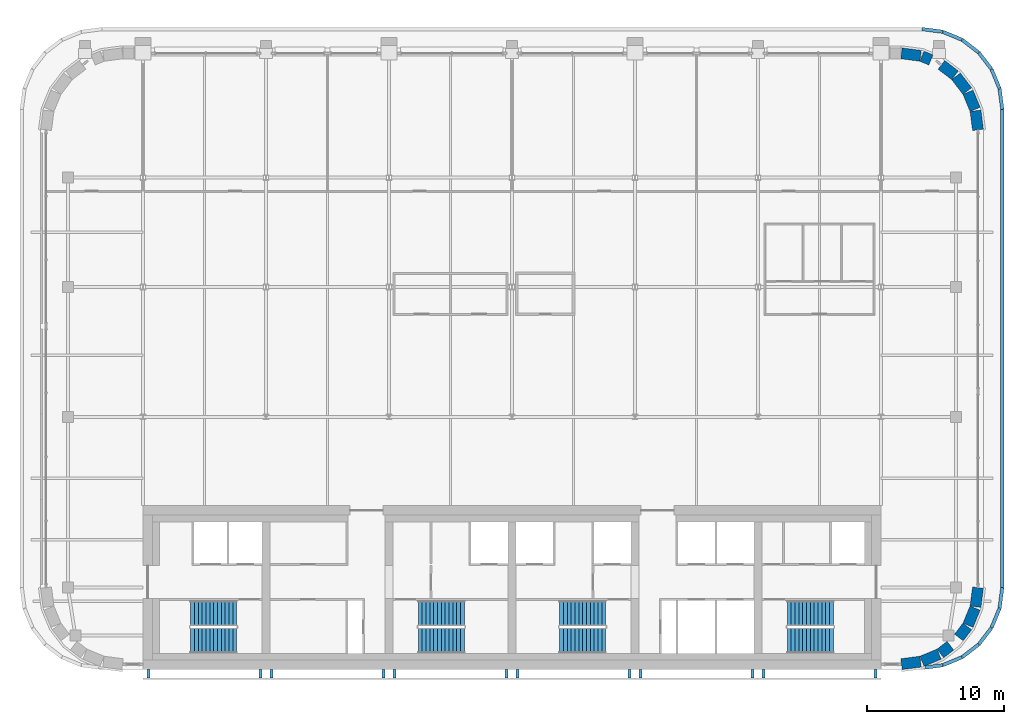
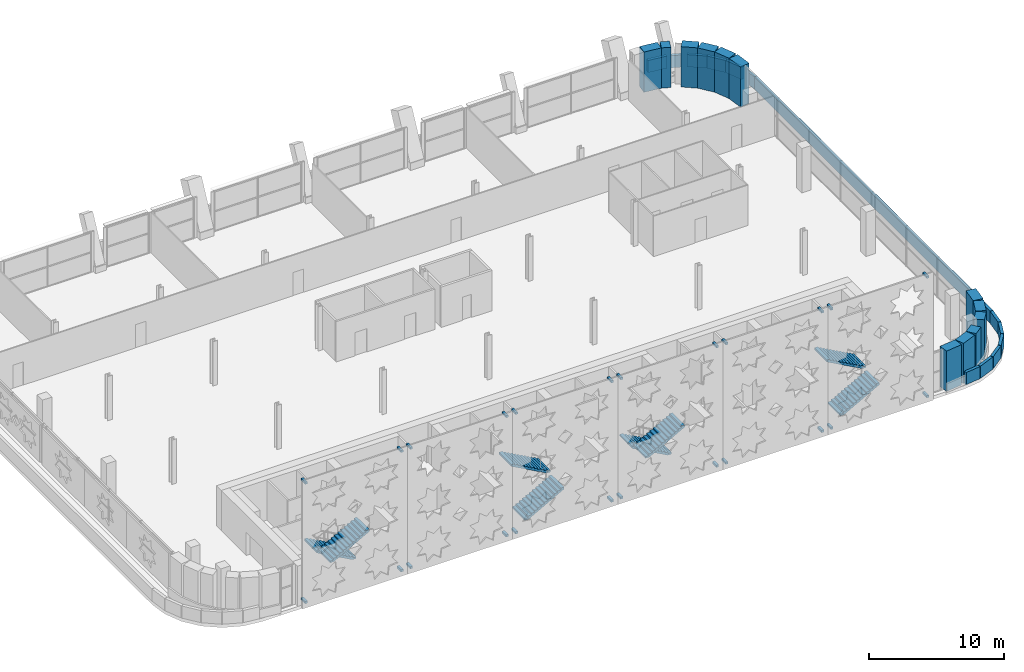
# One storey, part 19 of 25: 25 walls, 24 discrete accessories, 8 stair flights, 4 elements without a shape of their own.
"""IFC4 building model written with IfcOpenShell, lengths in metres."""

from ifc_helpers import new_model, si_unit, direction, frame, frame_2d, origin, origin_2d, place, context, subcontext, project, spatial, polyline, rectangle, outline, extrude, material, layer, layer_set, type_object, element, aggregate, save


model = new_model("IFC4")

# Units and contexts
model_context = context("Model", 3, precision=1e-05, world=origin(), true_north=direction((0.0, 1.0)))
body_context = subcontext(model_context, "Body", "Model", "MODEL_VIEW")
ifc_project = project(units=[si_unit("LENGTHUNIT", "METRE"), si_unit("AREAUNIT", "SQUARE_METRE"), si_unit("VOLUMEUNIT", "CUBIC_METRE"), si_unit("PLANEANGLEUNIT", "RADIAN"), si_unit("MASSUNIT", "GRAM", prefix="KILO")], contexts=[model_context])

# Site, building, storey
site_placement = place(None, origin())
site = spatial("IfcSite", under=ifc_project, at=site_placement, CompositionType="ELEMENT")
building_placement = place(site_placement, origin())
building = spatial("IfcBuilding", under=site, at=building_placement, Name="Zellij Exchange Tower", CompositionType="ELEMENT")
storey_placement = place(building_placement, frame((0.0, 0.0, 264.5)))
storey = spatial("IfcBuildingStorey", under=building, at=storey_placement, Name="L62", CompositionType="ELEMENT", Elevation=264.5)

# Walls
ifc_material_1 = material(Name="Precast concrete C40/50", Category="concrete")
ifc_layer_1 = layer(ifc_material_1, 0.800048828125)
ifc_layer_set_1 = layer_set([ifc_layer_1], Name="Precast concrete C40/50")
wall_type_1 = type_object("IfcWallType", Name="ENV-EW1 Precast stone-piered wall 800", PredefinedType="SOLIDWALL", material=ifc_layer_set_1)
wall_1_placement = place(storey_placement, frame((28.499755859375, -13.5966796875, 0.0), z_axis=(0.0, 0.0, 1.0), x_axis=(0.99144603414, 0.130517283865, 0.0)))
element("IfcWall", 1, at=wall_1_placement, inside=storey, type_object=wall_type_1, Name="fac.L62.01", PredefinedType="SOLIDWALL", context=body_context, shape_type="SweptSolid", body=[
    extrude(rectangle(XDim=1.408447265625, YDim=0.800048828125, at=frame_2d((0.7041015625, 0.0))), origin(), (0.0, 0.0, 1.0), 3.64990234375),
])
wall_2_placement = place(storey_placement, frame((29.997314453125, -13.3857421875, 0.0), z_axis=(0.0, 0.0, 1.0), x_axis=(0.923847774587, 0.38276009378, 0.0)))
element("IfcWall", 2, at=wall_2_placement, inside=storey, type_object=wall_type_1, Name="fac.L62.02", PredefinedType="SOLIDWALL", context=body_context, shape_type="SweptSolid", body=[
    extrude(rectangle(XDim=1.35546875, YDim=0.800048828125, at=frame_2d((0.677734375, 0.0))), origin(), (0.0, 0.0, 1.0), 3.64990234375),
])
wall_3_placement = place(storey_placement, frame((31.340087890625, -12.814697265625, 0.0), z_axis=(0.0, 0.0, 1.0), x_axis=(0.793344662299, 0.608772738221, 0.0)))
element("IfcWall", 3, at=wall_3_placement, inside=storey, type_object=wall_type_1, Name="fac.L62.03", PredefinedType="SOLIDWALL", context=body_context, shape_type="SweptSolid", body=[
    extrude(rectangle(XDim=0.93115234375, YDim=0.800048828125, at=frame_2d((0.465576171875, 0.0))), origin(), (0.0, 0.0, 1.0), 3.64990234375),
])
wall_4_placement = place(storey_placement, frame((32.69775390625, -11.64404296875, 0.0), z_axis=(0.0, 0.0, 1.0), x_axis=(0.608790576947, 0.793330973441, 0.0)))
element("IfcWall", 4, at=wall_4_placement, inside=storey, type_object=wall_type_1, Name="fac.L62.04", PredefinedType="SOLIDWALL", context=body_context, shape_type="SweptSolid", body=[
    extrude(rectangle(XDim=1.013427734375, YDim=0.800048828125, at=frame_2d((0.5068359375, 0.0))), origin(), (0.0, 0.0, 1.0), 3.64990234375),
])
wall_5_placement = place(storey_placement, frame((33.366943359375, -10.74951171875, 0.0), z_axis=(0.0, 0.0, 1.0), x_axis=(0.38276009378, 0.923847774587, 0.0)))
element("IfcWall", 5, at=wall_5_placement, inside=storey, type_object=wall_type_1, Name="fac.L62.05", PredefinedType="SOLIDWALL", context=body_context, shape_type="SweptSolid", body=[
    extrude(rectangle(XDim=1.35546875, YDim=0.800048828125, at=frame_2d((0.677734375, 0.0))), origin(), (0.0, 0.0, 1.0), 3.64990234375),
])
for number, where, z_axis, x_axis, name in (
    (6, (33.912841796875, -9.396240234375, 0.0), (0.0, 0.0, 1.0), (0.130517283865, 0.99144603414, 0.0), "fac.L62.06"),
    (7, (34.0966796875, 25.499755859375, 0.0), (0.0, 0.0, 1.0), (-0.130517283865, 0.99144603414, 0.0), "fac.L62.08"),
):
    element("IfcWall", number, at=place(storey_placement, frame(where, z_axis=z_axis, x_axis=x_axis)), inside=storey, type_object=wall_type_1, Name=name, PredefinedType="SOLIDWALL", context=body_context, shape_type="SweptSolid", body=[
        extrude(rectangle(XDim=1.408447265625, YDim=0.800048828125, at=frame_2d((0.7041015625, 0.0))), origin(), (0.0, 0.0, 1.0), 3.64990234375),
    ])
wall_6_placement = place(storey_placement, frame((33.8857421875, 26.997314453125, 0.0), z_axis=(0.0, 0.0, 1.0), x_axis=(-0.38276009378, 0.923847774587, 0.0)))
element("IfcWall", 8, at=wall_6_placement, inside=storey, type_object=wall_type_1, Name="fac.L62.09", PredefinedType="SOLIDWALL", context=body_context, shape_type="SweptSolid", body=[
    extrude(rectangle(XDim=1.35546875, YDim=0.800048828125, at=frame_2d((0.677734375, 0.0))), origin(), (0.0, 0.0, 1.0), 3.64990234375),
])
wall_7_placement = place(storey_placement, frame((33.314697265625, 28.340087890625, 0.0), z_axis=(0.0, 0.0, 1.0), x_axis=(-0.608866226366, 0.793272915452, 0.0)))
element("IfcWall", 9, at=wall_7_placement, inside=storey, type_object=wall_type_1, Name="fac.L62.10", PredefinedType="SOLIDWALL", context=body_context, shape_type="SweptSolid", body=[
    extrude(rectangle(XDim=1.355712890625, YDim=0.800048828125, at=frame_2d((0.677734375, 0.0))), origin(), (0.0, 0.0, 1.0), 3.64990234375),
])
wall_8_placement = place(storey_placement, frame((32.41552734375, 29.4892578125, 0.0), z_axis=(0.0, 0.0, 1.0), x_axis=(-0.793311514341, 0.608815933771, 0.0)))
element("IfcWall", 10, at=wall_8_placement, inside=storey, type_object=wall_type_1, Name="fac.L62.11", PredefinedType="SOLIDWALL", context=body_context, shape_type="SweptSolid", body=[
    extrude(rectangle(XDim=1.253173828125, YDim=0.800048828125, at=frame_2d((0.62646484375, 0.0))), origin(), (0.0, 0.0, 1.0), 3.64990234375),
])
wall_9_placement = place(storey_placement, frame((30.650634765625, 30.614990234375, 0.0), z_axis=(0.0, 0.0, 1.0), x_axis=(-0.923810617216, 0.382849766253, 0.0)))
element("IfcWall", 11, at=wall_9_placement, inside=storey, type_object=wall_type_1, Name="fac.L62.12", PredefinedType="SOLIDWALL", context=body_context, shape_type="SweptSolid", body=[
    extrude(rectangle(XDim=0.707275390625, YDim=0.800048828125, at=frame_2d((0.353515625, 0.0))), origin(), (0.0, 0.0, 1.0), 3.64990234375),
])
wall_10_placement = place(storey_placement, frame((29.896240234375, 30.912841796875, 0.0), z_axis=(0.0, 0.0, 1.0), x_axis=(-0.99144603414, 0.130517283865, 0.0)))
element("IfcWall", 12, at=wall_10_placement, inside=storey, type_object=wall_type_1, Name="fac.L62.13", PredefinedType="SOLIDWALL", context=body_context, shape_type="SweptSolid", body=[
    extrude(rectangle(XDim=1.408447265625, YDim=0.800048828125, at=frame_2d((0.7041015625, 0.0))), origin(), (0.0, 0.0, 1.0), 3.64990234375),
])
ifc_layer_2 = layer(ifc_material_1, 0.25)
ifc_layer_set_2 = layer_set([ifc_layer_2], Name="Precast concrete C40/50")
wall_type_2 = type_object("IfcWallType", Name="ENV-PR1 Parapet 250", PredefinedType="PARAPET", material=ifc_layer_set_2)
wall_11_placement = place(storey_placement, frame((30.23974609375, -13.84228515625, 0.0), z_axis=(0.0, 0.0, 1.0), x_axis=(0.991462114423, 0.130395075304, 0.0)))
element("IfcWall", 13, at=wall_11_placement, inside=storey, type_object=wall_type_2, Name="fac.par.L62.01.01.01", PredefinedType="PARAPET", context=body_context, shape_type="SweptSolid", body=[
    extrude(rectangle(XDim=1.275146484375, YDim=0.25, at=frame_2d((0.6376953125, 0.0))), origin(), (0.0, 0.0, 1.0), 1.10009765625),
])
for number, where, z_axis, x_axis, name in (
    (14, (31.535400390625, -13.66748046875, 0.0), (0.0, 0.0, 1.0), (0.923874044744, 0.382696680739, 0.0), "fac.par.L62.01.01.02"),
    (15, (32.949951171875, -13.076904296875, 0.0), (0.0, 0.0, 1.0), (0.793391561776, 0.608711614562, 0.0), "fac.par.L62.01.01.03"),
    (16, (34.16357421875, -12.140380859375, 0.0), (0.0, 0.0, 1.0), (0.608711614562, 0.793391561776, 0.0), "fac.par.L62.01.01.04"),
    (17, (35.09326171875, -10.921630859375, 0.0), (0.0, 0.0, 1.0), (0.382696680739, 0.923874044744, 0.0), "fac.par.L62.01.01.05"),
):
    element("IfcWall", number, at=place(storey_placement, frame(where, z_axis=z_axis, x_axis=x_axis)), inside=storey, type_object=wall_type_2, Name=name, PredefinedType="PARAPET", context=body_context, shape_type="SweptSolid", body=[
        extrude(rectangle(XDim=1.50048828125, YDim=0.25, at=frame_2d((0.750244140625, 0.0))), origin(), (0.0, 0.0, 1.0), 1.10009765625),
    ])
wall_12_placement = place(storey_placement, frame((35.676025390625, -9.50390625, 0.0), z_axis=(0.0, 0.0, 1.0), x_axis=(0.130371242108, 0.991465248625, 0.0)))
element("IfcWall", 18, at=wall_12_placement, inside=storey, type_object=wall_type_2, Name="fac.par.L62.01.01.06", PredefinedType="PARAPET", context=body_context, shape_type="SweptSolid", body=[
    extrude(rectangle(XDim=1.516845703125, YDim=0.25, at=frame_2d((0.75830078125, 0.0))), origin(), (0.0, 0.0, 1.0), 1.10009765625),
])
wall_13_placement = place(storey_placement, frame((35.875, -7.983642578125, 0.0), z_axis=(0.0, 0.0, 1.0), x_axis=(0.0, 1.0, 0.0)))
element("IfcWall", 19, at=wall_13_placement, inside=storey, type_object=wall_type_2, Name="fac.par.L62.01.01.07", PredefinedType="PARAPET", context=body_context, shape_type="SweptSolid", body=[
    extrude(rectangle(XDim=34.96728515625, YDim=0.25, at=frame_2d((17.483642578125, 0.0))), origin(), (0.0, 0.0, 1.0), 1.10009765625),
])
wall_14_placement = place(storey_placement, frame((35.873779296875, 27.0, 0.0), z_axis=(0.0, 0.0, 1.0), x_axis=(-0.130371242108, 0.991465248625, 0.0)))
element("IfcWall", 20, at=wall_14_placement, inside=storey, type_object=wall_type_2, Name="fac.par.L62.01.01.08", PredefinedType="PARAPET", context=body_context, shape_type="SweptSolid", body=[
    extrude(rectangle(XDim=1.516845703125, YDim=0.25, at=frame_2d((0.75830078125, 0.0))), origin(), (0.0, 0.0, 1.0), 1.10009765625),
])
for number, where, z_axis, x_axis, name in (
    (21, (35.66748046875, 28.535400390625, 0.0), (0.0, 0.0, 1.0), (-0.382696680739, 0.923874044744, 0.0), "fac.par.L62.01.01.09"),
    (22, (35.076904296875, 29.949951171875, 0.0), (0.0, 0.0, 1.0), (-0.608711614562, 0.793391561776, 0.0), "fac.par.L62.01.01.10"),
    (23, (34.140380859375, 31.16357421875, 0.0), (0.0, 0.0, 1.0), (-0.793391561776, 0.608711614562, 0.0), "fac.par.L62.01.01.11"),
    (24, (32.921630859375, 32.09326171875, 0.0), (0.0, 0.0, 1.0), (-0.923874044744, 0.382696680739, 0.0), "fac.par.L62.01.01.12"),
):
    element("IfcWall", number, at=place(storey_placement, frame(where, z_axis=z_axis, x_axis=x_axis)), inside=storey, type_object=wall_type_2, Name=name, PredefinedType="PARAPET", context=body_context, shape_type="SweptSolid", body=[
        extrude(rectangle(XDim=1.50048828125, YDim=0.25, at=frame_2d((0.750244140625, 0.0))), origin(), (0.0, 0.0, 1.0), 1.10009765625),
    ])
wall_15_placement = place(storey_placement, frame((31.50390625, 32.676025390625, 0.0), z_axis=(0.0, 0.0, 1.0), x_axis=(-0.991465248625, 0.130371242108, 0.0)))
element("IfcWall", 25, at=wall_15_placement, inside=storey, type_object=wall_type_2, Name="fac.par.L62.01.01.13", PredefinedType="PARAPET", context=body_context, shape_type="SweptSolid", body=[
    extrude(rectangle(XDim=1.516845703125, YDim=0.25, at=frame_2d((0.75830078125, 0.0))), origin(), (0.0, 0.0, 1.0), 1.10009765625),
])

# Stair, stair flights
ifc_material_2 = material(Name="Concrete C40/50", Category="concrete")
stair_type = type_object("IfcStairType", Name="CORE-ST exit stair 1850 wide", PredefinedType="HALF_TURN_STAIR", material=ifc_material_2)
stair_1_placement = place(storey_placement, origin())
stair_1 = element("IfcStair", 26, at=stair_1_placement, inside=storey, type_object=stair_type, Name="L62 exit stair ST1", PredefinedType="HALF_TURN_STAIR")
stair_flight_type = type_object("IfcStairFlightType", Name="CORE-SF flight 1850 riser 153.8 going 280", PredefinedType="STRAIGHT", material=ifc_material_2)
stair_flight_1_placement = place(storey_placement, frame((-20.14990234375, -9.875, 0.0), z_axis=(0.0, 0.0, 1.0), x_axis=(-1.0, 0.0, 0.0)))
stair_flight_1 = element("IfcStairFlight", 27, at=stair_flight_1_placement, type_object=stair_flight_type, Name="ST1 flight 1", NumberOfRisers=13, NumberOfTreads=12, PredefinedType="STRAIGHT", RiserHeight=0.153846154, TreadLength=0.28, context=body_context, shape_type="SweptSolid", body=[
    extrude(outline(polyline([(0.0, 0.0), (0.0, 0.15380859375), (0.280029296875, 0.15380859375), (0.280029296875, 0.3076171875), (0.56005859375, 0.3076171875), (0.56005859375, 0.46142578125), (0.840087890625, 0.46142578125), (0.840087890625, 0.615478515625), (1.1201171875, 0.615478515625), (1.1201171875, 0.769287109375), (1.39990234375, 0.769287109375), (1.39990234375, 0.923095703125), (1.679931640625, 0.923095703125), (1.679931640625, 1.076904296875), (1.9599609375, 1.076904296875), (1.9599609375, 1.230712890625), (2.239990234375, 1.230712890625), (2.239990234375, 1.384521484375), (2.52001953125, 1.384521484375), (2.52001953125, 1.53857421875), (2.800048828125, 1.53857421875), (2.800048828125, 1.6923828125), (3.080078125, 1.6923828125), (3.080078125, 1.84619140625), (3.360107421875, 1.84619140625), (3.360107421875, 2.0), (3.360107421875, 1.675048828125), (0.311279296875, 0.0), (0.0, 0.0)])), frame((0.0, 0.925048828125, 0.0), z_axis=(0.0, -1.0, 0.0), x_axis=(1.0, 0.0, 0.0)), (0.0, 0.0, 1.0), 1.85009765625),
])
stair_flight_2_placement = place(storey_placement, frame((-23.510009765625, -11.875, 2.0), z_axis=(0.0, 0.0, 1.0), x_axis=(1.0, 0.0, 0.0)))
stair_flight_2 = element("IfcStairFlight", 28, at=stair_flight_2_placement, type_object=stair_flight_type, Name="ST1 flight 2", NumberOfRisers=13, NumberOfTreads=12, PredefinedType="STRAIGHT", RiserHeight=0.153846154, TreadLength=0.28, context=body_context, shape_type="SweptSolid", body=[
    extrude(outline(polyline([(0.0, 0.0), (0.0, 0.15380859375), (0.280029296875, 0.15380859375), (0.280029296875, 0.3076171875), (0.56005859375, 0.3076171875), (0.56005859375, 0.46142578125), (0.840087890625, 0.46142578125), (0.840087890625, 0.615478515625), (1.1201171875, 0.615478515625), (1.1201171875, 0.769287109375), (1.39990234375, 0.769287109375), (1.39990234375, 0.923095703125), (1.679931640625, 0.923095703125), (1.679931640625, 1.076904296875), (1.9599609375, 1.076904296875), (1.9599609375, 1.230712890625), (2.239990234375, 1.230712890625), (2.239990234375, 1.384521484375), (2.52001953125, 1.384521484375), (2.52001953125, 1.53857421875), (2.800048828125, 1.53857421875), (2.800048828125, 1.6923828125), (3.080078125, 1.6923828125), (3.080078125, 1.84619140625), (3.360107421875, 1.84619140625), (3.360107421875, 2.0), (3.360107421875, 1.675048828125), (0.311279296875, 0.0), (0.0, 0.0)])), frame((0.0, 0.925048828125, 0.0), z_axis=(0.0, -1.0, 0.0), x_axis=(1.0, 0.0, 0.0)), (0.0, 0.0, 1.0), 1.85009765625),
])
aggregate(stair_1, [stair_flight_1, stair_flight_2])

stair_2_placement = place(storey_placement, origin())
stair_2 = element("IfcStair", 29, at=stair_2_placement, inside=storey, type_object=stair_type, Name="L62 exit stair ST2", PredefinedType="HALF_TURN_STAIR")
stair_flight_3_placement = place(storey_placement, frame((-6.85009765625, -11.875, 0.0), z_axis=(0.0, 0.0, 1.0), x_axis=(1.0, 0.0, 0.0)))
stair_flight_3 = element("IfcStairFlight", 30, at=stair_flight_3_placement, type_object=stair_flight_type, Name="ST2 flight 1", NumberOfRisers=13, NumberOfTreads=12, PredefinedType="STRAIGHT", RiserHeight=0.153846154, TreadLength=0.28, context=body_context, shape_type="SweptSolid", body=[
    extrude(outline(polyline([(0.0, 0.0), (0.0, 0.15380859375), (0.280029296875, 0.15380859375), (0.280029296875, 0.3076171875), (0.56005859375, 0.3076171875), (0.56005859375, 0.46142578125), (0.840087890625, 0.46142578125), (0.840087890625, 0.615478515625), (1.1201171875, 0.615478515625), (1.1201171875, 0.769287109375), (1.39990234375, 0.769287109375), (1.39990234375, 0.923095703125), (1.679931640625, 0.923095703125), (1.679931640625, 1.076904296875), (1.9599609375, 1.076904296875), (1.9599609375, 1.230712890625), (2.239990234375, 1.230712890625), (2.239990234375, 1.384521484375), (2.52001953125, 1.384521484375), (2.52001953125, 1.53857421875), (2.800048828125, 1.53857421875), (2.800048828125, 1.6923828125), (3.080078125, 1.6923828125), (3.080078125, 1.84619140625), (3.360107421875, 1.84619140625), (3.360107421875, 2.0), (3.360107421875, 1.675048828125), (0.311279296875, 0.0), (0.0, 0.0)])), frame((0.0, 0.925048828125, 0.0), z_axis=(0.0, -1.0, 0.0), x_axis=(1.0, 0.0, 0.0)), (0.0, 0.0, 1.0), 1.85009765625),
])
stair_flight_4_placement = place(storey_placement, frame((-3.489990234375, -9.875, 2.0), z_axis=(0.0, 0.0, 1.0), x_axis=(-1.0, 0.0, 0.0)))
stair_flight_4 = element("IfcStairFlight", 31, at=stair_flight_4_placement, type_object=stair_flight_type, Name="ST2 flight 2", NumberOfRisers=13, NumberOfTreads=12, PredefinedType="STRAIGHT", RiserHeight=0.153846154, TreadLength=0.28, context=body_context, shape_type="SweptSolid", body=[
    extrude(outline(polyline([(0.0, 0.0), (0.0, 0.15380859375), (0.280029296875, 0.15380859375), (0.280029296875, 0.3076171875), (0.56005859375, 0.3076171875), (0.56005859375, 0.46142578125), (0.840087890625, 0.46142578125), (0.840087890625, 0.615478515625), (1.1201171875, 0.615478515625), (1.1201171875, 0.769287109375), (1.39990234375, 0.769287109375), (1.39990234375, 0.923095703125), (1.679931640625, 0.923095703125), (1.679931640625, 1.076904296875), (1.9599609375, 1.076904296875), (1.9599609375, 1.230712890625), (2.239990234375, 1.230712890625), (2.239990234375, 1.384521484375), (2.52001953125, 1.384521484375), (2.52001953125, 1.53857421875), (2.800048828125, 1.53857421875), (2.800048828125, 1.6923828125), (3.080078125, 1.6923828125), (3.080078125, 1.84619140625), (3.360107421875, 1.84619140625), (3.360107421875, 2.0), (3.360107421875, 1.675048828125), (0.311279296875, 0.0), (0.0, 0.0)])), frame((0.0, 0.925048828125, 0.0), z_axis=(0.0, -1.0, 0.0), x_axis=(1.0, 0.0, 0.0)), (0.0, 0.0, 1.0), 1.85009765625),
])
aggregate(stair_2, [stair_flight_3, stair_flight_4])

stair_3_placement = place(storey_placement, origin())
stair_3 = element("IfcStair", 32, at=stair_3_placement, inside=storey, type_object=stair_type, Name="L62 exit stair ST3", PredefinedType="HALF_TURN_STAIR")
stair_flight_5_placement = place(storey_placement, frame((6.85009765625, -9.875, 0.0), z_axis=(0.0, 0.0, 1.0), x_axis=(-1.0, 0.0, 0.0)))
stair_flight_5 = element("IfcStairFlight", 33, at=stair_flight_5_placement, type_object=stair_flight_type, Name="ST3 flight 1", NumberOfRisers=13, NumberOfTreads=12, PredefinedType="STRAIGHT", RiserHeight=0.153846154, TreadLength=0.28, context=body_context, shape_type="SweptSolid", body=[
    extrude(outline(polyline([(0.0, 0.0), (0.0, 0.15380859375), (0.280029296875, 0.15380859375), (0.280029296875, 0.3076171875), (0.56005859375, 0.3076171875), (0.56005859375, 0.46142578125), (0.840087890625, 0.46142578125), (0.840087890625, 0.615478515625), (1.1201171875, 0.615478515625), (1.1201171875, 0.769287109375), (1.39990234375, 0.769287109375), (1.39990234375, 0.923095703125), (1.679931640625, 0.923095703125), (1.679931640625, 1.076904296875), (1.9599609375, 1.076904296875), (1.9599609375, 1.230712890625), (2.239990234375, 1.230712890625), (2.239990234375, 1.384521484375), (2.52001953125, 1.384521484375), (2.52001953125, 1.53857421875), (2.800048828125, 1.53857421875), (2.800048828125, 1.6923828125), (3.080078125, 1.6923828125), (3.080078125, 1.84619140625), (3.360107421875, 1.84619140625), (3.360107421875, 2.0), (3.360107421875, 1.675048828125), (0.311279296875, 0.0), (0.0, 0.0)])), frame((0.0, 0.925048828125, 0.0), z_axis=(0.0, -1.0, 0.0), x_axis=(1.0, 0.0, 0.0)), (0.0, 0.0, 1.0), 1.85009765625),
])
stair_flight_6_placement = place(storey_placement, frame((3.489990234375, -11.875, 2.0), z_axis=(0.0, 0.0, 1.0), x_axis=(1.0, 0.0, 0.0)))
stair_flight_6 = element("IfcStairFlight", 34, at=stair_flight_6_placement, type_object=stair_flight_type, Name="ST3 flight 2", NumberOfRisers=13, NumberOfTreads=12, PredefinedType="STRAIGHT", RiserHeight=0.153846154, TreadLength=0.28, context=body_context, shape_type="SweptSolid", body=[
    extrude(outline(polyline([(0.0, 0.0), (0.0, 0.15380859375), (0.280029296875, 0.15380859375), (0.280029296875, 0.3076171875), (0.56005859375, 0.3076171875), (0.56005859375, 0.46142578125), (0.840087890625, 0.46142578125), (0.840087890625, 0.615478515625), (1.1201171875, 0.615478515625), (1.1201171875, 0.769287109375), (1.39990234375, 0.769287109375), (1.39990234375, 0.923095703125), (1.679931640625, 0.923095703125), (1.679931640625, 1.076904296875), (1.9599609375, 1.076904296875), (1.9599609375, 1.230712890625), (2.239990234375, 1.230712890625), (2.239990234375, 1.384521484375), (2.52001953125, 1.384521484375), (2.52001953125, 1.53857421875), (2.800048828125, 1.53857421875), (2.800048828125, 1.6923828125), (3.080078125, 1.6923828125), (3.080078125, 1.84619140625), (3.360107421875, 1.84619140625), (3.360107421875, 2.0), (3.360107421875, 1.675048828125), (0.311279296875, 0.0), (0.0, 0.0)])), frame((0.0, 0.925048828125, 0.0), z_axis=(0.0, -1.0, 0.0), x_axis=(1.0, 0.0, 0.0)), (0.0, 0.0, 1.0), 1.85009765625),
])
aggregate(stair_3, [stair_flight_5, stair_flight_6])

stair_4_placement = place(storey_placement, origin())
stair_4 = element("IfcStair", 35, at=stair_4_placement, inside=storey, type_object=stair_type, Name="L62 exit stair ST4", PredefinedType="HALF_TURN_STAIR")
stair_flight_7_placement = place(storey_placement, frame((20.14990234375, -11.875, 0.0), z_axis=(0.0, 0.0, 1.0), x_axis=(1.0, 0.0, 0.0)))
stair_flight_7 = element("IfcStairFlight", 36, at=stair_flight_7_placement, type_object=stair_flight_type, Name="ST4 flight 1", NumberOfRisers=13, NumberOfTreads=12, PredefinedType="STRAIGHT", RiserHeight=0.153846154, TreadLength=0.28, context=body_context, shape_type="SweptSolid", body=[
    extrude(outline(polyline([(0.0, 0.0), (0.0, 0.15380859375), (0.280029296875, 0.15380859375), (0.280029296875, 0.3076171875), (0.56005859375, 0.3076171875), (0.56005859375, 0.46142578125), (0.840087890625, 0.46142578125), (0.840087890625, 0.615478515625), (1.1201171875, 0.615478515625), (1.1201171875, 0.769287109375), (1.39990234375, 0.769287109375), (1.39990234375, 0.923095703125), (1.679931640625, 0.923095703125), (1.679931640625, 1.076904296875), (1.9599609375, 1.076904296875), (1.9599609375, 1.230712890625), (2.239990234375, 1.230712890625), (2.239990234375, 1.384521484375), (2.52001953125, 1.384521484375), (2.52001953125, 1.53857421875), (2.800048828125, 1.53857421875), (2.800048828125, 1.6923828125), (3.080078125, 1.6923828125), (3.080078125, 1.84619140625), (3.360107421875, 1.84619140625), (3.360107421875, 2.0), (3.360107421875, 1.675048828125), (0.311279296875, 0.0), (0.0, 0.0)])), frame((0.0, 0.925048828125, 0.0), z_axis=(0.0, -1.0, 0.0), x_axis=(1.0, 0.0, 0.0)), (0.0, 0.0, 1.0), 1.85009765625),
])
stair_flight_8_placement = place(storey_placement, frame((23.510009765625, -9.875, 2.0), z_axis=(0.0, 0.0, 1.0), x_axis=(-1.0, 0.0, 0.0)))
stair_flight_8 = element("IfcStairFlight", 37, at=stair_flight_8_placement, type_object=stair_flight_type, Name="ST4 flight 2", NumberOfRisers=13, NumberOfTreads=12, PredefinedType="STRAIGHT", RiserHeight=0.153846154, TreadLength=0.28, context=body_context, shape_type="SweptSolid", body=[
    extrude(outline(polyline([(0.0, 0.0), (0.0, 0.15380859375), (0.280029296875, 0.15380859375), (0.280029296875, 0.3076171875), (0.56005859375, 0.3076171875), (0.56005859375, 0.46142578125), (0.840087890625, 0.46142578125), (0.840087890625, 0.615478515625), (1.1201171875, 0.615478515625), (1.1201171875, 0.769287109375), (1.39990234375, 0.769287109375), (1.39990234375, 0.923095703125), (1.679931640625, 0.923095703125), (1.679931640625, 1.076904296875), (1.9599609375, 1.076904296875), (1.9599609375, 1.230712890625), (2.239990234375, 1.230712890625), (2.239990234375, 1.384521484375), (2.52001953125, 1.384521484375), (2.52001953125, 1.53857421875), (2.800048828125, 1.53857421875), (2.800048828125, 1.6923828125), (3.080078125, 1.6923828125), (3.080078125, 1.84619140625), (3.360107421875, 1.84619140625), (3.360107421875, 2.0), (3.360107421875, 1.675048828125), (0.311279296875, 0.0), (0.0, 0.0)])), frame((0.0, 0.925048828125, 0.0), z_axis=(0.0, -1.0, 0.0), x_axis=(1.0, 0.0, 0.0)), (0.0, 0.0, 1.0), 1.85009765625),
])
aggregate(stair_4, [stair_flight_7, stair_flight_8])

# Discrete accessories
ifc_material_3 = material(Name="Stainless steel", Category="steel")
discrete_accessory_type = type_object("IfcDiscreteAccessoryType", Name="ENV-BR1 Stone panel bracket 200", PredefinedType="USERDEFINED", material=ifc_material_3)
for number, where, z_axis, x_axis, name in (
    (38, (-26.60009765625, -14.300048828125, 0.5), (0.0, 0.0, 1.0), (1.0, 0.0, 0.0), "Panel bracket"),
    (39, (-26.60009765625, -14.300048828125, 11.2998046875), (0.0, 0.0, 1.0), (1.0, 0.0, 0.0), "Panel bracket"),
    (40, (-18.39990234375, -14.300048828125, 0.5), (0.0, 0.0, 1.0), (1.0, 0.0, 0.0), "Panel bracket"),
    (41, (-18.39990234375, -14.300048828125, 11.2998046875), (0.0, 0.0, 1.0), (1.0, 0.0, 0.0), "Panel bracket"),
    (42, (-17.60009765625, -14.300048828125, 0.5), (0.0, 0.0, 1.0), (1.0, 0.0, 0.0), "Panel bracket"),
    (43, (-17.60009765625, -14.300048828125, 11.2998046875), (0.0, 0.0, 1.0), (1.0, 0.0, 0.0), "Panel bracket"),
    (44, (-9.39990234375, -14.300048828125, 0.5), (0.0, 0.0, 1.0), (1.0, 0.0, 0.0), "Panel bracket"),
    (45, (-9.39990234375, -14.300048828125, 11.2998046875), (0.0, 0.0, 1.0), (1.0, 0.0, 0.0), "Panel bracket"),
    (46, (-8.60009765625, -14.300048828125, 0.5), (0.0, 0.0, 1.0), (1.0, 0.0, 0.0), "Panel bracket"),
    (47, (-8.60009765625, -14.300048828125, 11.2998046875), (0.0, 0.0, 1.0), (1.0, 0.0, 0.0), "Panel bracket"),
    (48, (-0.39990234375, -14.300048828125, 0.5), (0.0, 0.0, 1.0), (1.0, 0.0, 0.0), "Panel bracket"),
    (49, (-0.39990234375, -14.300048828125, 11.2998046875), (0.0, 0.0, 1.0), (1.0, 0.0, 0.0), "Panel bracket"),
    (50, (0.39990234375, -14.300048828125, 0.5), (0.0, 0.0, 1.0), (1.0, 0.0, 0.0), "Panel bracket"),
    (51, (0.39990234375, -14.300048828125, 11.2998046875), (0.0, 0.0, 1.0), (1.0, 0.0, 0.0), "Panel bracket"),
    (52, (8.60009765625, -14.300048828125, 0.5), (0.0, 0.0, 1.0), (1.0, 0.0, 0.0), "Panel bracket"),
    (53, (8.60009765625, -14.300048828125, 11.2998046875), (0.0, 0.0, 1.0), (1.0, 0.0, 0.0), "Panel bracket"),
    (54, (9.39990234375, -14.300048828125, 0.5), (0.0, 0.0, 1.0), (1.0, 0.0, 0.0), "Panel bracket"),
    (55, (9.39990234375, -14.300048828125, 11.2998046875), (0.0, 0.0, 1.0), (1.0, 0.0, 0.0), "Panel bracket"),
    (56, (17.60009765625, -14.300048828125, 0.5), (0.0, 0.0, 1.0), (1.0, 0.0, 0.0), "Panel bracket"),
    (57, (17.60009765625, -14.300048828125, 11.2998046875), (0.0, 0.0, 1.0), (1.0, 0.0, 0.0), "Panel bracket"),
    (58, (18.39990234375, -14.300048828125, 0.5), (0.0, 0.0, 1.0), (1.0, 0.0, 0.0), "Panel bracket"),
    (59, (18.39990234375, -14.300048828125, 11.2998046875), (0.0, 0.0, 1.0), (1.0, 0.0, 0.0), "Panel bracket"),
    (60, (26.60009765625, -14.300048828125, 0.5), (0.0, 0.0, 1.0), (1.0, 0.0, 0.0), "Panel bracket"),
    (61, (26.60009765625, -14.300048828125, 11.2998046875), (0.0, 0.0, 1.0), (1.0, 0.0, 0.0), "Panel bracket"),
):
    element("IfcDiscreteAccessory", number, at=place(storey_placement, frame(where, z_axis=z_axis, x_axis=x_axis)), inside=storey, type_object=discrete_accessory_type, Name=name, ObjectType="BRACKET", PredefinedType="USERDEFINED", context=body_context, shape_type="SweptSolid", body=[
        extrude(rectangle(XDim=0.199951171875, YDim=0.60009765625, at=origin_2d()), origin(), (0.0, 0.0, 1.0), 0.199951171875),
    ])

save(model, "model.ifc")
